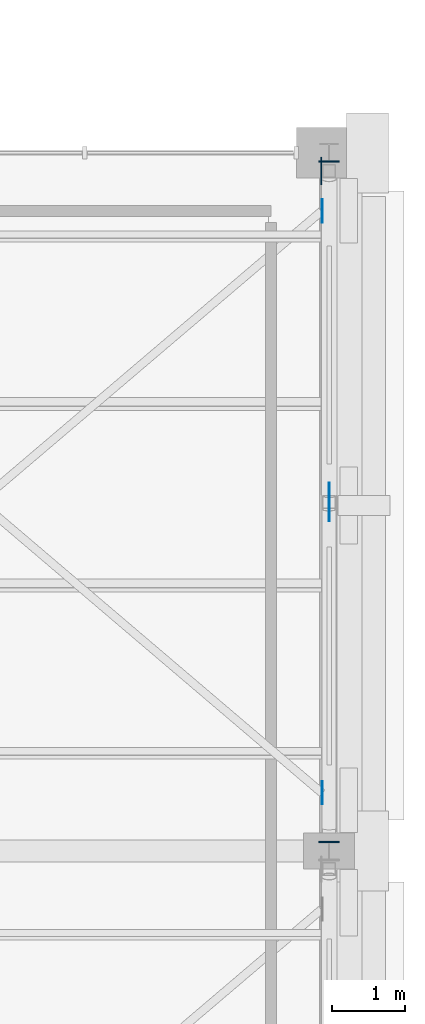
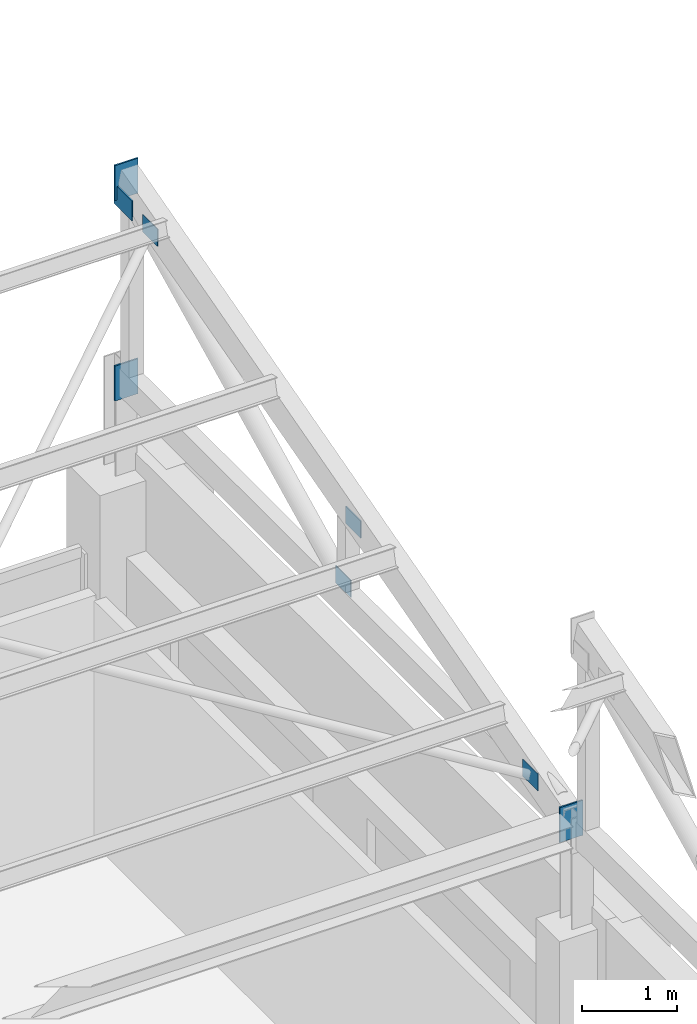
# One storey, part 45 of 58: 8 plates.
"""IFC4 building model written with IfcOpenShell, lengths in metres."""

from ifc_helpers import new_model, si_unit, direction, frame, origin, origin_2d, place, context, subcontext, project, spatial, rectangle, extrude, material, layer, layer_set, type_object, element, save


model = new_model("IFC4")

# Units and contexts
model_context = context("Model", 3, precision=1e-05, world=origin(), true_north=direction((0.0, 1.0)))
body_context = subcontext(model_context, "Body", "Model", "MODEL_VIEW")
ifc_project = project(units=[si_unit("LENGTHUNIT", "METRE"), si_unit("AREAUNIT", "SQUARE_METRE"), si_unit("VOLUMEUNIT", "CUBIC_METRE"), si_unit("PLANEANGLEUNIT", "RADIAN"), si_unit("MASSUNIT", "GRAM", prefix="KILO")], contexts=[model_context])

# Site, building, storey
site_placement = place(None, origin())
site = spatial("IfcSite", under=ifc_project, at=site_placement, CompositionType="ELEMENT")
building_placement = place(site_placement, origin())
building = spatial("IfcBuilding", under=site, at=building_placement, Name="Bempovik Park Faculty of Sciences", CompositionType="ELEMENT")
storey_placement = place(building_placement, frame((0.0, 0.0, 18.300048828125)))
storey = spatial("IfcBuildingStorey", under=building, at=storey_placement, Name="L04", CompositionType="ELEMENT", Elevation=18.300048828125)

# Plates
ifc_material = material(Name="Steel S355", Category="steel")
ifc_layer_1 = layer(ifc_material, 0.011962890625)
ifc_layer_set_1 = layer_set([ifc_layer_1], Name="Steel S355")
plate_type_1 = type_object("IfcPlateType", Name="PL-26 Steel Plate 320x220x12", PredefinedType="SHEET", material=ifc_layer_set_1)
for number, where, z_axis, x_axis, name in (
    (1, (127.10400390625, 86.199951171875, 7.43017578125), (0.0, 0.0, 1.0), (1.0, 0.0, 0.0), "Sawtooth X-Brace End Gusset V2-B2-117.6-2"),
    (2, (127.10400390625, 78.199951171875, 5.28662109375), (0.0, 0.0, 1.0), (1.0, 0.0, 0.0), "Sawtooth X-Brace End Gusset V2-B2-117.6-4"),
    (3, (127.199951171875, 82.094970703125, 6.138671875), (0.0, 0.0, 1.0), (1.0, 0.0, 0.0), "Brace/Strut End Gusset Plate SAW-V2-B2-D1-1272-E2"),
    (4, (127.199951171875, 82.304931640625, 5.2509765625), (0.0, 0.0, 1.0), (1.0, 0.0, 0.0), "Brace/Strut End Gusset Plate SAW-V2-B2-D2-1272-E1"),
):
    element("IfcPlate", number, at=place(storey_placement, frame(where, z_axis=z_axis, x_axis=x_axis)), inside=storey, type_object=plate_type_1, Name=name, PredefinedType="SHEET", context=body_context, shape_type="SweptSolid", body=[
        extrude(rectangle(XDim=0.011962890625, YDim=0.320068359375, at=origin_2d()), origin(), (0.0, 0.0, 1.0), 0.219970703125),
    ])
ifc_layer_2 = layer(ifc_material, 0.02001953125)
ifc_layer_set_2 = layer_set([ifc_layer_2], Name="Steel S355")
plate_type_2 = type_object("IfcPlateType", Name="PL-36 Steel Plate 450x280x20", PredefinedType="USERDEFINED", material=ifc_layer_set_2)
for number, where, z_axis, x_axis, name in (
    (5, (127.199951171875, 86.8779296875, 7.52978515625), (0.0, 0.0, 1.0), (1.0, 0.0, 0.0), "Atrium Sawtooth Rafter End Cap V2-B2-127.2"),
    (6, (127.199951171875, 77.52197265625, 4.95751953125), (0.0, 0.0, 1.0), (1.0, 0.0, 0.0), "Atrium Sawtooth Valley Rafter End Cap V2-B2-127.2"),
    (7, (127.199951171875, 86.8779296875, 4.955078125), (0.0, 0.0, 1.0), (1.0, 0.0, 0.0), "Atrium Sawtooth Bottom Chord End Cap V2-B2-127.2"),
):
    element("IfcPlate", number, at=place(storey_placement, frame(where, z_axis=z_axis, x_axis=x_axis)), inside=storey, type_object=plate_type_2, Name=name, ObjectType="STIFFENER PLATE", PredefinedType="USERDEFINED", context=body_context, shape_type="SweptSolid", body=[
        extrude(rectangle(XDim=0.280029296875, YDim=0.02001953125, at=origin_2d()), origin(), (0.0, 0.0, 1.0), 0.449951171875),
    ])
ifc_layer_3 = layer(ifc_material, 0.01611328125)
ifc_layer_set_3 = layer_set([ifc_layer_3], Name="Steel S355")
plate_type_3 = type_object("IfcPlateType", Name="PL-50 Steel Plate 380x260x16", PredefinedType="SHEET", material=ifc_layer_set_3)
plate_placement = place(storey_placement, frame((127.093994140625, 86.75, 7.4443359375), z_axis=(0.0, 0.0, 1.0), x_axis=(1.0, 0.0, 0.0)))
element("IfcPlate", 8, at=plate_placement, inside=storey, type_object=plate_type_3, Name="Sawtooth Ridge Gusset Plate V2-B2-127.2", PredefinedType="SHEET", context=body_context, shape_type="SweptSolid", body=[
    extrude(rectangle(XDim=0.01611328125, YDim=0.3798828125, at=origin_2d()), origin(), (0.0, 0.0, 1.0), 0.260009765625),
])

save(model, "model.ifc")
